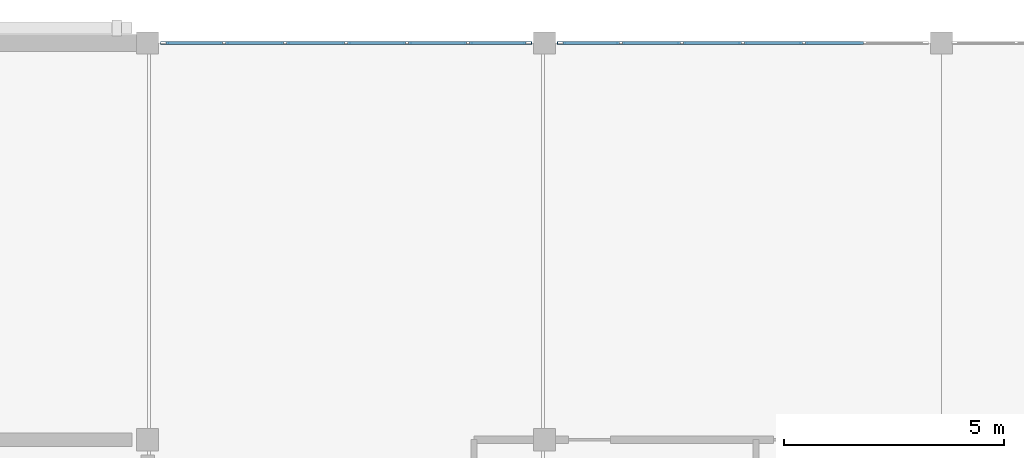
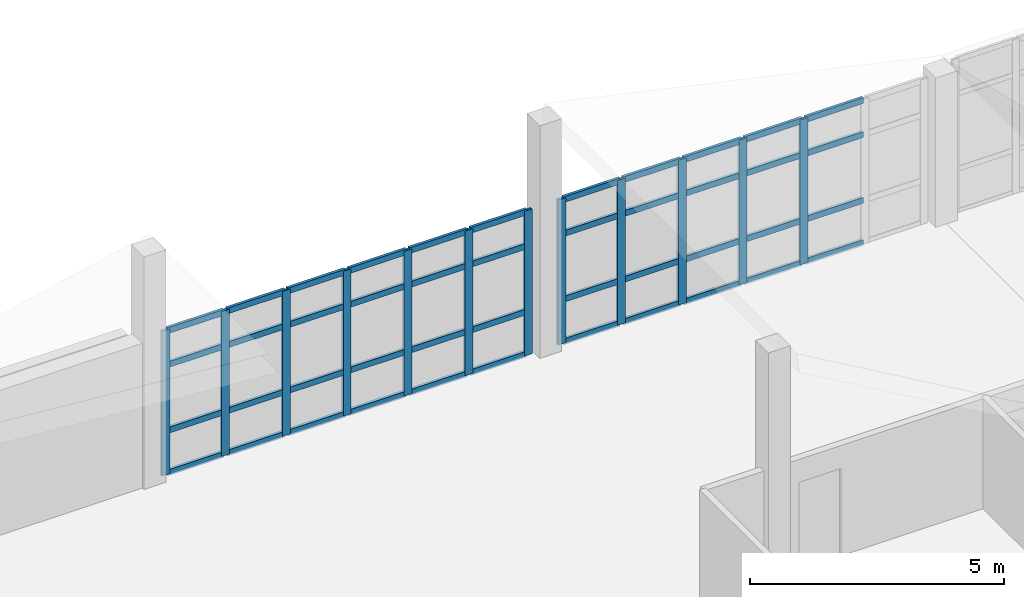
# One storey, part 51 of 156: 56 members, 2 elements without a shape of their own.
"""IFC4 building model written with IfcOpenShell, lengths in metres."""

from ifc_helpers import new_model, si_unit, direction, frame, origin, origin_2d, place, context, subcontext, project, spatial, hollow_rectangle, extrude, material, layer, layer_set, material_profile, profile_set, type_object, element, aggregate, save


model = new_model("IFC4")

# Units and contexts
model_context = context("Model", 3, precision=1e-05, world=origin(), true_north=direction((0.0, 1.0)))
body_context = subcontext(model_context, "Body", "Model", "MODEL_VIEW")
ifc_project = project(units=[si_unit("LENGTHUNIT", "METRE"), si_unit("AREAUNIT", "SQUARE_METRE"), si_unit("VOLUMEUNIT", "CUBIC_METRE"), si_unit("PLANEANGLEUNIT", "RADIAN"), si_unit("MASSUNIT", "GRAM", prefix="KILO")], contexts=[model_context])

# Site, building, storey
site_placement = place(None, origin())
site = spatial("IfcSite", under=ifc_project, at=site_placement, CompositionType="ELEMENT")
building_placement = place(site_placement, origin())
building = spatial("IfcBuilding", under=site, at=building_placement, Name="Ornek Quay Market", CompositionType="ELEMENT")
storey_placement = place(building_placement, frame((0.0, 0.0, 4.5)))
storey = spatial("IfcBuildingStorey", under=building, at=storey_placement, Name="L01", CompositionType="ELEMENT", Elevation=4.5)

# Curtain wall, members
ifc_material_1 = material(Name="Anodised bronze aluminium and triple low-e glass", Category="aluminium")
ifc_layer = layer(ifc_material_1, 0.179931640625, Name="Anodised bronze aluminium and triple low-e glass", Category="aluminium")
ifc_layer_set = layer_set([ifc_layer], Name="Anodised bronze aluminium and triple low-e glass")
curtain_wall_type = type_object("IfcCurtainWallType", Name="CW-CONC-MOD1500", PredefinedType="USERDEFINED", material=ifc_layer_set)
curtain_wall_1_placement = place(storey_placement, origin())
curtain_wall_1 = element("IfcCurtainWall", 1, at=curtain_wall_1_placement, inside=storey, type_object=curtain_wall_type, Name="Curtain wall CW-003", ObjectType="CURTAIN WALL", PredefinedType="USERDEFINED")
ifc_material_2 = material(Name="Anodised aluminium 6063-T6", Category="aluminium")
ifc_material_profile_1 = material_profile(ifc_material_2, hollow_rectangle(XDim=0.06494140625, YDim=0.179931640625, WallThickness=0.00439453125, at=origin_2d()), Name="CW-MUL-65x180", Category="aluminium")
ifc_profile_set_1 = profile_set([ifc_material_profile_1], Name="Anodised aluminium 6063-T6")
member_type_1 = type_object("IfcMemberType", Name="CW-MUL-65x180", PredefinedType="MULLION", material=ifc_profile_set_1)
member_1_placement = place(storey_placement, frame((9.382568359375, 110.0, 0.0), z_axis=(0.0, 0.0, 1.0), x_axis=(0.0, 1.0, 0.0)))
member_1 = element("IfcMember", 2, at=member_1_placement, type_object=member_type_1, Name="CW-003 mullion 1", PredefinedType="MULLION", context=body_context, shape_type="SweptSolid", body=[
    extrude(hollow_rectangle(XDim=0.06494140625, YDim=0.179931640625, WallThickness=0.00439453125, at=origin_2d()), origin(), (0.0, 0.0, 1.0), 3.47998046875),
])
member_2_placement = place(storey_placement, frame((10.7333984375, 110.0, 0.0), z_axis=(0.0, 0.0, 1.0), x_axis=(0.0, 1.0, 0.0)))
member_2 = element("IfcMember", 3, at=member_2_placement, type_object=member_type_1, Name="CW-003 mullion 2", PredefinedType="MULLION", context=body_context, shape_type="SweptSolid", body=[
    extrude(hollow_rectangle(XDim=0.06494140625, YDim=0.179931640625, WallThickness=0.00439453125, at=origin_2d()), origin(), (0.0, 0.0, 1.0), 3.47998046875),
])
member_3_placement = place(storey_placement, frame((12.11669921875, 110.0, 0.0), z_axis=(0.0, 0.0, 1.0), x_axis=(0.0, 1.0, 0.0)))
member_3 = element("IfcMember", 4, at=member_3_placement, type_object=member_type_1, Name="CW-003 mullion 3", PredefinedType="MULLION", context=body_context, shape_type="SweptSolid", body=[
    extrude(hollow_rectangle(XDim=0.06494140625, YDim=0.179931640625, WallThickness=0.00439453125, at=origin_2d()), origin(), (0.0, 0.0, 1.0), 3.47998046875),
])
member_4_placement = place(storey_placement, frame((13.5, 110.0, 0.0), z_axis=(0.0, 0.0, 1.0), x_axis=(0.0, 1.0, 0.0)))
member_4 = element("IfcMember", 5, at=member_4_placement, type_object=member_type_1, Name="CW-003 mullion 4", PredefinedType="MULLION", context=body_context, shape_type="SweptSolid", body=[
    extrude(hollow_rectangle(XDim=0.06494140625, YDim=0.179931640625, WallThickness=0.00439453125, at=origin_2d()), origin(), (0.0, 0.0, 1.0), 3.47998046875),
])
member_5_placement = place(storey_placement, frame((14.88330078125, 110.0, 0.0), z_axis=(0.0, 0.0, 1.0), x_axis=(0.0, 1.0, 0.0)))
member_5 = element("IfcMember", 6, at=member_5_placement, type_object=member_type_1, Name="CW-003 mullion 5", PredefinedType="MULLION", context=body_context, shape_type="SweptSolid", body=[
    extrude(hollow_rectangle(XDim=0.06494140625, YDim=0.179931640625, WallThickness=0.00439453125, at=origin_2d()), origin(), (0.0, 0.0, 1.0), 3.47998046875),
])
member_6_placement = place(storey_placement, frame((16.2666015625, 110.0, 0.0), z_axis=(0.0, 0.0, 1.0), x_axis=(0.0, 1.0, 0.0)))
member_6 = element("IfcMember", 7, at=member_6_placement, type_object=member_type_1, Name="CW-003 mullion 6", PredefinedType="MULLION", context=body_context, shape_type="SweptSolid", body=[
    extrude(hollow_rectangle(XDim=0.06494140625, YDim=0.179931640625, WallThickness=0.00439453125, at=origin_2d()), origin(), (0.0, 0.0, 1.0), 3.47998046875),
])
member_7_placement = place(storey_placement, frame((17.617431640625, 110.0, 0.0), z_axis=(0.0, 0.0, 1.0), x_axis=(0.0, 1.0, 0.0)))
member_7 = element("IfcMember", 8, at=member_7_placement, type_object=member_type_1, Name="CW-003 mullion 7", PredefinedType="MULLION", context=body_context, shape_type="SweptSolid", body=[
    extrude(hollow_rectangle(XDim=0.06494140625, YDim=0.179931640625, WallThickness=0.00439453125, at=origin_2d()), origin(), (0.0, 0.0, 1.0), 3.47998046875),
])

curtain_wall_2_placement = place(storey_placement, origin())
curtain_wall_2 = element("IfcCurtainWall", 9, at=curtain_wall_2_placement, inside=storey, type_object=curtain_wall_type, Name="Curtain wall CW-004", ObjectType="CURTAIN WALL", PredefinedType="USERDEFINED")
member_8_placement = place(storey_placement, frame((18.382568359375, 110.0, 0.0), z_axis=(0.0, 0.0, 1.0), x_axis=(0.0, 1.0, 0.0)))
member_8 = element("IfcMember", 10, at=member_8_placement, type_object=member_type_1, Name="CW-004 mullion 1", PredefinedType="MULLION", context=body_context, shape_type="SweptSolid", body=[
    extrude(hollow_rectangle(XDim=0.06494140625, YDim=0.179931640625, WallThickness=0.00439453125, at=origin_2d()), origin(), (0.0, 0.0, 1.0), 3.47998046875),
])
member_9_placement = place(storey_placement, frame((19.7333984375, 110.0, 0.0), z_axis=(0.0, 0.0, 1.0), x_axis=(0.0, 1.0, 0.0)))
member_9 = element("IfcMember", 11, at=member_9_placement, type_object=member_type_1, Name="CW-004 mullion 2", PredefinedType="MULLION", context=body_context, shape_type="SweptSolid", body=[
    extrude(hollow_rectangle(XDim=0.06494140625, YDim=0.179931640625, WallThickness=0.00439453125, at=origin_2d()), origin(), (0.0, 0.0, 1.0), 3.47998046875),
])
member_10_placement = place(storey_placement, frame((21.11669921875, 110.0, 0.0), z_axis=(0.0, 0.0, 1.0), x_axis=(0.0, 1.0, 0.0)))
member_10 = element("IfcMember", 12, at=member_10_placement, type_object=member_type_1, Name="CW-004 mullion 3", PredefinedType="MULLION", context=body_context, shape_type="SweptSolid", body=[
    extrude(hollow_rectangle(XDim=0.06494140625, YDim=0.179931640625, WallThickness=0.00439453125, at=origin_2d()), origin(), (0.0, 0.0, 1.0), 3.47998046875),
])
member_11_placement = place(storey_placement, frame((22.5, 110.0, 0.0), z_axis=(0.0, 0.0, 1.0), x_axis=(0.0, 1.0, 0.0)))
member_11 = element("IfcMember", 13, at=member_11_placement, type_object=member_type_1, Name="CW-004 mullion 4", PredefinedType="MULLION", context=body_context, shape_type="SweptSolid", body=[
    extrude(hollow_rectangle(XDim=0.06494140625, YDim=0.179931640625, WallThickness=0.00439453125, at=origin_2d()), origin(), (0.0, 0.0, 1.0), 3.47998046875),
])
member_12_placement = place(storey_placement, frame((23.88330078125, 110.0, 0.0), z_axis=(0.0, 0.0, 1.0), x_axis=(0.0, 1.0, 0.0)))
member_12 = element("IfcMember", 14, at=member_12_placement, type_object=member_type_1, Name="CW-004 mullion 5", PredefinedType="MULLION", context=body_context, shape_type="SweptSolid", body=[
    extrude(hollow_rectangle(XDim=0.06494140625, YDim=0.179931640625, WallThickness=0.00439453125, at=origin_2d()), origin(), (0.0, 0.0, 1.0), 3.47998046875),
])

# Member
ifc_material_profile_2 = material_profile(ifc_material_2, hollow_rectangle(XDim=0.06494140625, YDim=0.139892578125, WallThickness=0.00439453125, at=origin_2d()), Name="CW-TRN-65x140", Category="aluminium")
ifc_profile_set_2 = profile_set([ifc_material_profile_2], Name="Anodised aluminium 6063-T6")
member_type_2 = type_object("IfcMemberType", Name="CW-TRN-65x140", PredefinedType="USERDEFINED", material=ifc_profile_set_2)
member_13_placement = place(storey_placement, frame((9.4150390625, 110.0, 0.032470703125), z_axis=(1.0, 0.0, 0.0), x_axis=(0.0, 1.0, 0.0)))
member_13 = element("IfcMember", 15, at=member_13_placement, type_object=member_type_2, Name="CW-003 transom 1.1", ObjectType="TRANSOM", PredefinedType="USERDEFINED", context=body_context, shape_type="SweptSolid", body=[
    extrude(hollow_rectangle(XDim=0.06494140625, YDim=0.139892578125, WallThickness=0.00439453125, at=origin_2d()), origin(), (0.0, 0.0, 1.0), 1.285888671875),
])

member_14_placement = place(storey_placement, frame((9.4150390625, 110.0, 1.050048828125), z_axis=(1.0, 0.0, 0.0), x_axis=(0.0, 1.0, 0.0)))
member_14 = element("IfcMember", 16, at=member_14_placement, type_object=member_type_2, Name="CW-003 transom 1.2", ObjectType="TRANSOM", PredefinedType="USERDEFINED", context=body_context, shape_type="SweptSolid", body=[
    extrude(hollow_rectangle(XDim=0.06494140625, YDim=0.139892578125, WallThickness=0.00439453125, at=origin_2d()), origin(), (0.0, 0.0, 1.0), 1.285888671875),
])

member_15_placement = place(storey_placement, frame((9.4150390625, 110.0, 2.6298828125), z_axis=(1.0, 0.0, 0.0), x_axis=(0.0, 1.0, 0.0)))
member_15 = element("IfcMember", 17, at=member_15_placement, type_object=member_type_2, Name="CW-003 transom 1.3", ObjectType="TRANSOM", PredefinedType="USERDEFINED", context=body_context, shape_type="SweptSolid", body=[
    extrude(hollow_rectangle(XDim=0.06494140625, YDim=0.139892578125, WallThickness=0.00439453125, at=origin_2d()), origin(), (0.0, 0.0, 1.0), 1.285888671875),
])

member_16_placement = place(storey_placement, frame((9.4150390625, 110.0, 3.447509765625), z_axis=(1.0, 0.0, 0.0), x_axis=(0.0, 1.0, 0.0)))
member_16 = element("IfcMember", 18, at=member_16_placement, type_object=member_type_2, Name="CW-003 transom 1.4", ObjectType="TRANSOM", PredefinedType="USERDEFINED", context=body_context, shape_type="SweptSolid", body=[
    extrude(hollow_rectangle(XDim=0.06494140625, YDim=0.139892578125, WallThickness=0.00439453125, at=origin_2d()), origin(), (0.0, 0.0, 1.0), 1.285888671875),
])

member_17_placement = place(storey_placement, frame((10.765869140625, 110.0, 0.032470703125), z_axis=(1.0, 0.0, 0.0), x_axis=(0.0, 1.0, 0.0)))
member_17 = element("IfcMember", 19, at=member_17_placement, type_object=member_type_2, Name="CW-003 transom 2.1", ObjectType="TRANSOM", PredefinedType="USERDEFINED", context=body_context, shape_type="SweptSolid", body=[
    extrude(hollow_rectangle(XDim=0.06494140625, YDim=0.139892578125, WallThickness=0.00439453125, at=origin_2d()), origin(), (0.0, 0.0, 1.0), 1.318359375),
])

member_18_placement = place(storey_placement, frame((10.765869140625, 110.0, 1.050048828125), z_axis=(1.0, 0.0, 0.0), x_axis=(0.0, 1.0, 0.0)))
member_18 = element("IfcMember", 20, at=member_18_placement, type_object=member_type_2, Name="CW-003 transom 2.2", ObjectType="TRANSOM", PredefinedType="USERDEFINED", context=body_context, shape_type="SweptSolid", body=[
    extrude(hollow_rectangle(XDim=0.06494140625, YDim=0.139892578125, WallThickness=0.00439453125, at=origin_2d()), origin(), (0.0, 0.0, 1.0), 1.318359375),
])

member_19_placement = place(storey_placement, frame((10.765869140625, 110.0, 2.6298828125), z_axis=(1.0, 0.0, 0.0), x_axis=(0.0, 1.0, 0.0)))
member_19 = element("IfcMember", 21, at=member_19_placement, type_object=member_type_2, Name="CW-003 transom 2.3", ObjectType="TRANSOM", PredefinedType="USERDEFINED", context=body_context, shape_type="SweptSolid", body=[
    extrude(hollow_rectangle(XDim=0.06494140625, YDim=0.139892578125, WallThickness=0.00439453125, at=origin_2d()), origin(), (0.0, 0.0, 1.0), 1.318359375),
])

member_20_placement = place(storey_placement, frame((10.765869140625, 110.0, 3.447509765625), z_axis=(1.0, 0.0, 0.0), x_axis=(0.0, 1.0, 0.0)))
member_20 = element("IfcMember", 22, at=member_20_placement, type_object=member_type_2, Name="CW-003 transom 2.4", ObjectType="TRANSOM", PredefinedType="USERDEFINED", context=body_context, shape_type="SweptSolid", body=[
    extrude(hollow_rectangle(XDim=0.06494140625, YDim=0.139892578125, WallThickness=0.00439453125, at=origin_2d()), origin(), (0.0, 0.0, 1.0), 1.318359375),
])

member_21_placement = place(storey_placement, frame((12.149169921875, 110.0, 0.032470703125), z_axis=(1.0, 0.0, 0.0), x_axis=(0.0, 1.0, 0.0)))
member_21 = element("IfcMember", 23, at=member_21_placement, type_object=member_type_2, Name="CW-003 transom 3.1", ObjectType="TRANSOM", PredefinedType="USERDEFINED", context=body_context, shape_type="SweptSolid", body=[
    extrude(hollow_rectangle(XDim=0.06494140625, YDim=0.139892578125, WallThickness=0.00439453125, at=origin_2d()), origin(), (0.0, 0.0, 1.0), 1.318359375),
])

member_22_placement = place(storey_placement, frame((12.149169921875, 110.0, 1.050048828125), z_axis=(1.0, 0.0, 0.0), x_axis=(0.0, 1.0, 0.0)))
member_22 = element("IfcMember", 24, at=member_22_placement, type_object=member_type_2, Name="CW-003 transom 3.2", ObjectType="TRANSOM", PredefinedType="USERDEFINED", context=body_context, shape_type="SweptSolid", body=[
    extrude(hollow_rectangle(XDim=0.06494140625, YDim=0.139892578125, WallThickness=0.00439453125, at=origin_2d()), origin(), (0.0, 0.0, 1.0), 1.318359375),
])

member_23_placement = place(storey_placement, frame((12.149169921875, 110.0, 2.6298828125), z_axis=(1.0, 0.0, 0.0), x_axis=(0.0, 1.0, 0.0)))
member_23 = element("IfcMember", 25, at=member_23_placement, type_object=member_type_2, Name="CW-003 transom 3.3", ObjectType="TRANSOM", PredefinedType="USERDEFINED", context=body_context, shape_type="SweptSolid", body=[
    extrude(hollow_rectangle(XDim=0.06494140625, YDim=0.139892578125, WallThickness=0.00439453125, at=origin_2d()), origin(), (0.0, 0.0, 1.0), 1.318359375),
])

member_24_placement = place(storey_placement, frame((12.149169921875, 110.0, 3.447509765625), z_axis=(1.0, 0.0, 0.0), x_axis=(0.0, 1.0, 0.0)))
member_24 = element("IfcMember", 26, at=member_24_placement, type_object=member_type_2, Name="CW-003 transom 3.4", ObjectType="TRANSOM", PredefinedType="USERDEFINED", context=body_context, shape_type="SweptSolid", body=[
    extrude(hollow_rectangle(XDim=0.06494140625, YDim=0.139892578125, WallThickness=0.00439453125, at=origin_2d()), origin(), (0.0, 0.0, 1.0), 1.318359375),
])

member_25_placement = place(storey_placement, frame((13.532470703125, 110.0, 0.032470703125), z_axis=(1.0, 0.0, 0.0), x_axis=(0.0, 1.0, 0.0)))
member_25 = element("IfcMember", 27, at=member_25_placement, type_object=member_type_2, Name="CW-003 transom 4.1", ObjectType="TRANSOM", PredefinedType="USERDEFINED", context=body_context, shape_type="SweptSolid", body=[
    extrude(hollow_rectangle(XDim=0.06494140625, YDim=0.139892578125, WallThickness=0.00439453125, at=origin_2d()), origin(), (0.0, 0.0, 1.0), 1.318359375),
])

member_26_placement = place(storey_placement, frame((13.532470703125, 110.0, 1.050048828125), z_axis=(1.0, 0.0, 0.0), x_axis=(0.0, 1.0, 0.0)))
member_26 = element("IfcMember", 28, at=member_26_placement, type_object=member_type_2, Name="CW-003 transom 4.2", ObjectType="TRANSOM", PredefinedType="USERDEFINED", context=body_context, shape_type="SweptSolid", body=[
    extrude(hollow_rectangle(XDim=0.06494140625, YDim=0.139892578125, WallThickness=0.00439453125, at=origin_2d()), origin(), (0.0, 0.0, 1.0), 1.318359375),
])

member_27_placement = place(storey_placement, frame((13.532470703125, 110.0, 2.6298828125), z_axis=(1.0, 0.0, 0.0), x_axis=(0.0, 1.0, 0.0)))
member_27 = element("IfcMember", 29, at=member_27_placement, type_object=member_type_2, Name="CW-003 transom 4.3", ObjectType="TRANSOM", PredefinedType="USERDEFINED", context=body_context, shape_type="SweptSolid", body=[
    extrude(hollow_rectangle(XDim=0.06494140625, YDim=0.139892578125, WallThickness=0.00439453125, at=origin_2d()), origin(), (0.0, 0.0, 1.0), 1.318359375),
])

member_28_placement = place(storey_placement, frame((13.532470703125, 110.0, 3.447509765625), z_axis=(1.0, 0.0, 0.0), x_axis=(0.0, 1.0, 0.0)))
member_28 = element("IfcMember", 30, at=member_28_placement, type_object=member_type_2, Name="CW-003 transom 4.4", ObjectType="TRANSOM", PredefinedType="USERDEFINED", context=body_context, shape_type="SweptSolid", body=[
    extrude(hollow_rectangle(XDim=0.06494140625, YDim=0.139892578125, WallThickness=0.00439453125, at=origin_2d()), origin(), (0.0, 0.0, 1.0), 1.318359375),
])

member_29_placement = place(storey_placement, frame((14.915771484375, 110.0, 0.032470703125), z_axis=(1.0, 0.0, 0.0), x_axis=(0.0, 1.0, 0.0)))
member_29 = element("IfcMember", 31, at=member_29_placement, type_object=member_type_2, Name="CW-003 transom 5.1", ObjectType="TRANSOM", PredefinedType="USERDEFINED", context=body_context, shape_type="SweptSolid", body=[
    extrude(hollow_rectangle(XDim=0.06494140625, YDim=0.139892578125, WallThickness=0.00439453125, at=origin_2d()), origin(), (0.0, 0.0, 1.0), 1.318359375),
])

member_30_placement = place(storey_placement, frame((14.915771484375, 110.0, 1.050048828125), z_axis=(1.0, 0.0, 0.0), x_axis=(0.0, 1.0, 0.0)))
member_30 = element("IfcMember", 32, at=member_30_placement, type_object=member_type_2, Name="CW-003 transom 5.2", ObjectType="TRANSOM", PredefinedType="USERDEFINED", context=body_context, shape_type="SweptSolid", body=[
    extrude(hollow_rectangle(XDim=0.06494140625, YDim=0.139892578125, WallThickness=0.00439453125, at=origin_2d()), origin(), (0.0, 0.0, 1.0), 1.318359375),
])

member_31_placement = place(storey_placement, frame((14.915771484375, 110.0, 2.6298828125), z_axis=(1.0, 0.0, 0.0), x_axis=(0.0, 1.0, 0.0)))
member_31 = element("IfcMember", 33, at=member_31_placement, type_object=member_type_2, Name="CW-003 transom 5.3", ObjectType="TRANSOM", PredefinedType="USERDEFINED", context=body_context, shape_type="SweptSolid", body=[
    extrude(hollow_rectangle(XDim=0.06494140625, YDim=0.139892578125, WallThickness=0.00439453125, at=origin_2d()), origin(), (0.0, 0.0, 1.0), 1.318359375),
])

member_32_placement = place(storey_placement, frame((14.915771484375, 110.0, 3.447509765625), z_axis=(1.0, 0.0, 0.0), x_axis=(0.0, 1.0, 0.0)))
member_32 = element("IfcMember", 34, at=member_32_placement, type_object=member_type_2, Name="CW-003 transom 5.4", ObjectType="TRANSOM", PredefinedType="USERDEFINED", context=body_context, shape_type="SweptSolid", body=[
    extrude(hollow_rectangle(XDim=0.06494140625, YDim=0.139892578125, WallThickness=0.00439453125, at=origin_2d()), origin(), (0.0, 0.0, 1.0), 1.318359375),
])

member_33_placement = place(storey_placement, frame((16.299072265625, 110.0, 0.032470703125), z_axis=(1.0, 0.0, 0.0), x_axis=(0.0, 1.0, 0.0)))
member_33 = element("IfcMember", 35, at=member_33_placement, type_object=member_type_2, Name="CW-003 transom 6.1", ObjectType="TRANSOM", PredefinedType="USERDEFINED", context=body_context, shape_type="SweptSolid", body=[
    extrude(hollow_rectangle(XDim=0.06494140625, YDim=0.139892578125, WallThickness=0.00439453125, at=origin_2d()), origin(), (0.0, 0.0, 1.0), 1.285888671875),
])

member_34_placement = place(storey_placement, frame((16.299072265625, 110.0, 1.050048828125), z_axis=(1.0, 0.0, 0.0), x_axis=(0.0, 1.0, 0.0)))
member_34 = element("IfcMember", 36, at=member_34_placement, type_object=member_type_2, Name="CW-003 transom 6.2", ObjectType="TRANSOM", PredefinedType="USERDEFINED", context=body_context, shape_type="SweptSolid", body=[
    extrude(hollow_rectangle(XDim=0.06494140625, YDim=0.139892578125, WallThickness=0.00439453125, at=origin_2d()), origin(), (0.0, 0.0, 1.0), 1.285888671875),
])

member_35_placement = place(storey_placement, frame((16.299072265625, 110.0, 2.6298828125), z_axis=(1.0, 0.0, 0.0), x_axis=(0.0, 1.0, 0.0)))
member_35 = element("IfcMember", 37, at=member_35_placement, type_object=member_type_2, Name="CW-003 transom 6.3", ObjectType="TRANSOM", PredefinedType="USERDEFINED", context=body_context, shape_type="SweptSolid", body=[
    extrude(hollow_rectangle(XDim=0.06494140625, YDim=0.139892578125, WallThickness=0.00439453125, at=origin_2d()), origin(), (0.0, 0.0, 1.0), 1.285888671875),
])

member_36_placement = place(storey_placement, frame((16.299072265625, 110.0, 3.447509765625), z_axis=(1.0, 0.0, 0.0), x_axis=(0.0, 1.0, 0.0)))
member_36 = element("IfcMember", 38, at=member_36_placement, type_object=member_type_2, Name="CW-003 transom 6.4", ObjectType="TRANSOM", PredefinedType="USERDEFINED", context=body_context, shape_type="SweptSolid", body=[
    extrude(hollow_rectangle(XDim=0.06494140625, YDim=0.139892578125, WallThickness=0.00439453125, at=origin_2d()), origin(), (0.0, 0.0, 1.0), 1.285888671875),
])

aggregate(curtain_wall_1, [member_1, member_2, member_3, member_4, member_5, member_6, member_7, member_13, member_14, member_15, member_16, member_17, member_18, member_19, member_20, member_21, member_22, member_23, member_24, member_25, member_26, member_27, member_28, member_29, member_30, member_31, member_32, member_33, member_34, member_35, member_36])

member_37_placement = place(storey_placement, frame((18.4150390625, 110.0, 0.032470703125), z_axis=(1.0, 0.0, 0.0), x_axis=(0.0, 1.0, 0.0)))
member_37 = element("IfcMember", 39, at=member_37_placement, type_object=member_type_2, Name="CW-004 transom 1.1", ObjectType="TRANSOM", PredefinedType="USERDEFINED", context=body_context, shape_type="SweptSolid", body=[
    extrude(hollow_rectangle(XDim=0.06494140625, YDim=0.139892578125, WallThickness=0.00439453125, at=origin_2d()), origin(), (0.0, 0.0, 1.0), 1.285888671875),
])

member_38_placement = place(storey_placement, frame((18.4150390625, 110.0, 1.050048828125), z_axis=(1.0, 0.0, 0.0), x_axis=(0.0, 1.0, 0.0)))
member_38 = element("IfcMember", 40, at=member_38_placement, type_object=member_type_2, Name="CW-004 transom 1.2", ObjectType="TRANSOM", PredefinedType="USERDEFINED", context=body_context, shape_type="SweptSolid", body=[
    extrude(hollow_rectangle(XDim=0.06494140625, YDim=0.139892578125, WallThickness=0.00439453125, at=origin_2d()), origin(), (0.0, 0.0, 1.0), 1.285888671875),
])

member_39_placement = place(storey_placement, frame((18.4150390625, 110.0, 2.6298828125), z_axis=(1.0, 0.0, 0.0), x_axis=(0.0, 1.0, 0.0)))
member_39 = element("IfcMember", 41, at=member_39_placement, type_object=member_type_2, Name="CW-004 transom 1.3", ObjectType="TRANSOM", PredefinedType="USERDEFINED", context=body_context, shape_type="SweptSolid", body=[
    extrude(hollow_rectangle(XDim=0.06494140625, YDim=0.139892578125, WallThickness=0.00439453125, at=origin_2d()), origin(), (0.0, 0.0, 1.0), 1.285888671875),
])

member_40_placement = place(storey_placement, frame((18.4150390625, 110.0, 3.447509765625), z_axis=(1.0, 0.0, 0.0), x_axis=(0.0, 1.0, 0.0)))
member_40 = element("IfcMember", 42, at=member_40_placement, type_object=member_type_2, Name="CW-004 transom 1.4", ObjectType="TRANSOM", PredefinedType="USERDEFINED", context=body_context, shape_type="SweptSolid", body=[
    extrude(hollow_rectangle(XDim=0.06494140625, YDim=0.139892578125, WallThickness=0.00439453125, at=origin_2d()), origin(), (0.0, 0.0, 1.0), 1.285888671875),
])

member_41_placement = place(storey_placement, frame((19.765869140625, 110.0, 0.032470703125), z_axis=(1.0, 0.0, 0.0), x_axis=(0.0, 1.0, 0.0)))
member_41 = element("IfcMember", 43, at=member_41_placement, type_object=member_type_2, Name="CW-004 transom 2.1", ObjectType="TRANSOM", PredefinedType="USERDEFINED", context=body_context, shape_type="SweptSolid", body=[
    extrude(hollow_rectangle(XDim=0.06494140625, YDim=0.139892578125, WallThickness=0.00439453125, at=origin_2d()), origin(), (0.0, 0.0, 1.0), 1.318359375),
])

member_42_placement = place(storey_placement, frame((19.765869140625, 110.0, 1.050048828125), z_axis=(1.0, 0.0, 0.0), x_axis=(0.0, 1.0, 0.0)))
member_42 = element("IfcMember", 44, at=member_42_placement, type_object=member_type_2, Name="CW-004 transom 2.2", ObjectType="TRANSOM", PredefinedType="USERDEFINED", context=body_context, shape_type="SweptSolid", body=[
    extrude(hollow_rectangle(XDim=0.06494140625, YDim=0.139892578125, WallThickness=0.00439453125, at=origin_2d()), origin(), (0.0, 0.0, 1.0), 1.318359375),
])

member_43_placement = place(storey_placement, frame((19.765869140625, 110.0, 2.6298828125), z_axis=(1.0, 0.0, 0.0), x_axis=(0.0, 1.0, 0.0)))
member_43 = element("IfcMember", 45, at=member_43_placement, type_object=member_type_2, Name="CW-004 transom 2.3", ObjectType="TRANSOM", PredefinedType="USERDEFINED", context=body_context, shape_type="SweptSolid", body=[
    extrude(hollow_rectangle(XDim=0.06494140625, YDim=0.139892578125, WallThickness=0.00439453125, at=origin_2d()), origin(), (0.0, 0.0, 1.0), 1.318359375),
])

member_44_placement = place(storey_placement, frame((19.765869140625, 110.0, 3.447509765625), z_axis=(1.0, 0.0, 0.0), x_axis=(0.0, 1.0, 0.0)))
member_44 = element("IfcMember", 46, at=member_44_placement, type_object=member_type_2, Name="CW-004 transom 2.4", ObjectType="TRANSOM", PredefinedType="USERDEFINED", context=body_context, shape_type="SweptSolid", body=[
    extrude(hollow_rectangle(XDim=0.06494140625, YDim=0.139892578125, WallThickness=0.00439453125, at=origin_2d()), origin(), (0.0, 0.0, 1.0), 1.318359375),
])

member_45_placement = place(storey_placement, frame((21.149169921875, 110.0, 0.032470703125), z_axis=(1.0, 0.0, 0.0), x_axis=(0.0, 1.0, 0.0)))
member_45 = element("IfcMember", 47, at=member_45_placement, type_object=member_type_2, Name="CW-004 transom 3.1", ObjectType="TRANSOM", PredefinedType="USERDEFINED", context=body_context, shape_type="SweptSolid", body=[
    extrude(hollow_rectangle(XDim=0.06494140625, YDim=0.139892578125, WallThickness=0.00439453125, at=origin_2d()), origin(), (0.0, 0.0, 1.0), 1.318359375),
])

member_46_placement = place(storey_placement, frame((21.149169921875, 110.0, 1.050048828125), z_axis=(1.0, 0.0, 0.0), x_axis=(0.0, 1.0, 0.0)))
member_46 = element("IfcMember", 48, at=member_46_placement, type_object=member_type_2, Name="CW-004 transom 3.2", ObjectType="TRANSOM", PredefinedType="USERDEFINED", context=body_context, shape_type="SweptSolid", body=[
    extrude(hollow_rectangle(XDim=0.06494140625, YDim=0.139892578125, WallThickness=0.00439453125, at=origin_2d()), origin(), (0.0, 0.0, 1.0), 1.318359375),
])

member_47_placement = place(storey_placement, frame((21.149169921875, 110.0, 2.6298828125), z_axis=(1.0, 0.0, 0.0), x_axis=(0.0, 1.0, 0.0)))
member_47 = element("IfcMember", 49, at=member_47_placement, type_object=member_type_2, Name="CW-004 transom 3.3", ObjectType="TRANSOM", PredefinedType="USERDEFINED", context=body_context, shape_type="SweptSolid", body=[
    extrude(hollow_rectangle(XDim=0.06494140625, YDim=0.139892578125, WallThickness=0.00439453125, at=origin_2d()), origin(), (0.0, 0.0, 1.0), 1.318359375),
])

member_48_placement = place(storey_placement, frame((21.149169921875, 110.0, 3.447509765625), z_axis=(1.0, 0.0, 0.0), x_axis=(0.0, 1.0, 0.0)))
member_48 = element("IfcMember", 50, at=member_48_placement, type_object=member_type_2, Name="CW-004 transom 3.4", ObjectType="TRANSOM", PredefinedType="USERDEFINED", context=body_context, shape_type="SweptSolid", body=[
    extrude(hollow_rectangle(XDim=0.06494140625, YDim=0.139892578125, WallThickness=0.00439453125, at=origin_2d()), origin(), (0.0, 0.0, 1.0), 1.318359375),
])

member_49_placement = place(storey_placement, frame((22.532470703125, 110.0, 0.032470703125), z_axis=(1.0, 0.0, 0.0), x_axis=(0.0, 1.0, 0.0)))
member_49 = element("IfcMember", 51, at=member_49_placement, type_object=member_type_2, Name="CW-004 transom 4.1", ObjectType="TRANSOM", PredefinedType="USERDEFINED", context=body_context, shape_type="SweptSolid", body=[
    extrude(hollow_rectangle(XDim=0.06494140625, YDim=0.139892578125, WallThickness=0.00439453125, at=origin_2d()), origin(), (0.0, 0.0, 1.0), 1.318359375),
])

member_50_placement = place(storey_placement, frame((22.532470703125, 110.0, 1.050048828125), z_axis=(1.0, 0.0, 0.0), x_axis=(0.0, 1.0, 0.0)))
member_50 = element("IfcMember", 52, at=member_50_placement, type_object=member_type_2, Name="CW-004 transom 4.2", ObjectType="TRANSOM", PredefinedType="USERDEFINED", context=body_context, shape_type="SweptSolid", body=[
    extrude(hollow_rectangle(XDim=0.06494140625, YDim=0.139892578125, WallThickness=0.00439453125, at=origin_2d()), origin(), (0.0, 0.0, 1.0), 1.318359375),
])

member_51_placement = place(storey_placement, frame((22.532470703125, 110.0, 2.6298828125), z_axis=(1.0, 0.0, 0.0), x_axis=(0.0, 1.0, 0.0)))
member_51 = element("IfcMember", 53, at=member_51_placement, type_object=member_type_2, Name="CW-004 transom 4.3", ObjectType="TRANSOM", PredefinedType="USERDEFINED", context=body_context, shape_type="SweptSolid", body=[
    extrude(hollow_rectangle(XDim=0.06494140625, YDim=0.139892578125, WallThickness=0.00439453125, at=origin_2d()), origin(), (0.0, 0.0, 1.0), 1.318359375),
])

member_52_placement = place(storey_placement, frame((22.532470703125, 110.0, 3.447509765625), z_axis=(1.0, 0.0, 0.0), x_axis=(0.0, 1.0, 0.0)))
member_52 = element("IfcMember", 54, at=member_52_placement, type_object=member_type_2, Name="CW-004 transom 4.4", ObjectType="TRANSOM", PredefinedType="USERDEFINED", context=body_context, shape_type="SweptSolid", body=[
    extrude(hollow_rectangle(XDim=0.06494140625, YDim=0.139892578125, WallThickness=0.00439453125, at=origin_2d()), origin(), (0.0, 0.0, 1.0), 1.318359375),
])

member_53_placement = place(storey_placement, frame((23.915771484375, 110.0, 0.032470703125), z_axis=(1.0, 0.0, 0.0), x_axis=(0.0, 1.0, 0.0)))
member_53 = element("IfcMember", 55, at=member_53_placement, type_object=member_type_2, Name="CW-004 transom 5.1", ObjectType="TRANSOM", PredefinedType="USERDEFINED", context=body_context, shape_type="SweptSolid", body=[
    extrude(hollow_rectangle(XDim=0.06494140625, YDim=0.139892578125, WallThickness=0.00439453125, at=origin_2d()), origin(), (0.0, 0.0, 1.0), 1.318359375),
])

member_54_placement = place(storey_placement, frame((23.915771484375, 110.0, 1.050048828125), z_axis=(1.0, 0.0, 0.0), x_axis=(0.0, 1.0, 0.0)))
member_54 = element("IfcMember", 56, at=member_54_placement, type_object=member_type_2, Name="CW-004 transom 5.2", ObjectType="TRANSOM", PredefinedType="USERDEFINED", context=body_context, shape_type="SweptSolid", body=[
    extrude(hollow_rectangle(XDim=0.06494140625, YDim=0.139892578125, WallThickness=0.00439453125, at=origin_2d()), origin(), (0.0, 0.0, 1.0), 1.318359375),
])

member_55_placement = place(storey_placement, frame((23.915771484375, 110.0, 2.6298828125), z_axis=(1.0, 0.0, 0.0), x_axis=(0.0, 1.0, 0.0)))
member_55 = element("IfcMember", 57, at=member_55_placement, type_object=member_type_2, Name="CW-004 transom 5.3", ObjectType="TRANSOM", PredefinedType="USERDEFINED", context=body_context, shape_type="SweptSolid", body=[
    extrude(hollow_rectangle(XDim=0.06494140625, YDim=0.139892578125, WallThickness=0.00439453125, at=origin_2d()), origin(), (0.0, 0.0, 1.0), 1.318359375),
])

member_56_placement = place(storey_placement, frame((23.915771484375, 110.0, 3.447509765625), z_axis=(1.0, 0.0, 0.0), x_axis=(0.0, 1.0, 0.0)))
member_56 = element("IfcMember", 58, at=member_56_placement, type_object=member_type_2, Name="CW-004 transom 5.4", ObjectType="TRANSOM", PredefinedType="USERDEFINED", context=body_context, shape_type="SweptSolid", body=[
    extrude(hollow_rectangle(XDim=0.06494140625, YDim=0.139892578125, WallThickness=0.00439453125, at=origin_2d()), origin(), (0.0, 0.0, 1.0), 1.318359375),
])

aggregate(curtain_wall_2, [member_8, member_9, member_10, member_11, member_12, member_37, member_38, member_39, member_40, member_41, member_42, member_43, member_44, member_45, member_46, member_47, member_48, member_49, member_50, member_51, member_52, member_53, member_54, member_55, member_56])

save(model, "model.ifc")
